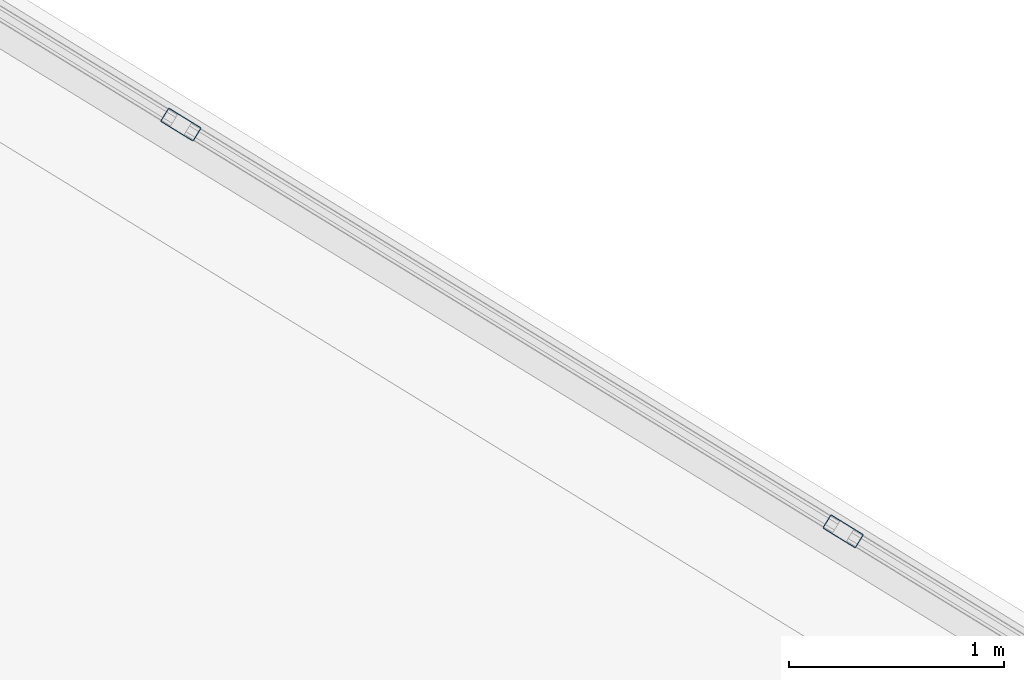
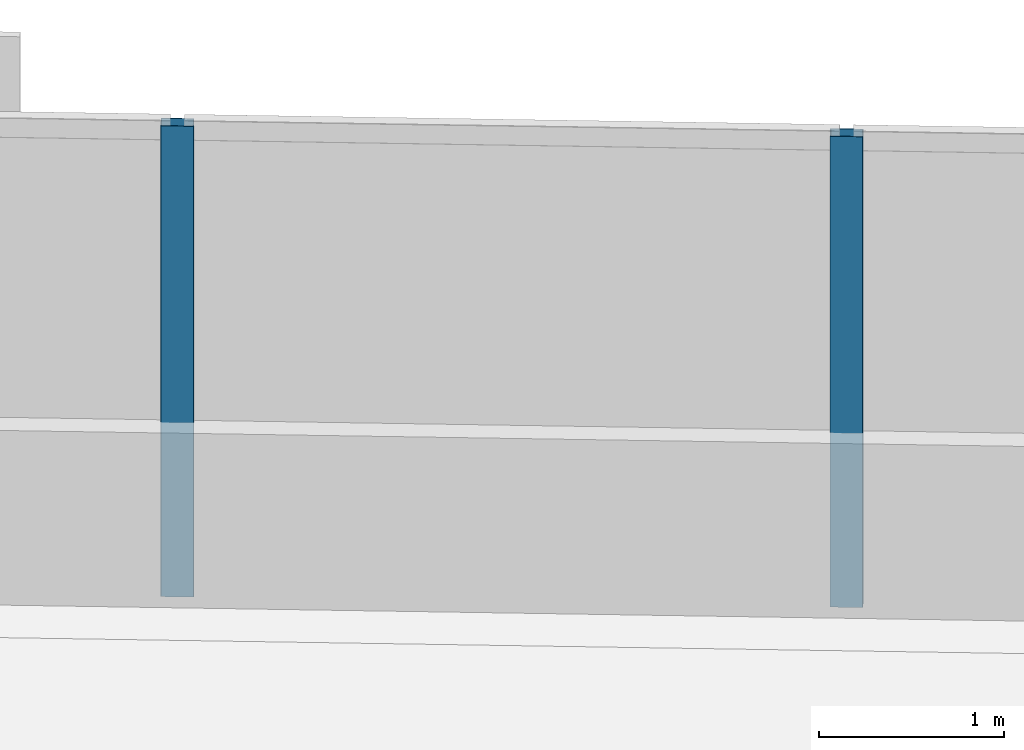
# One storey, part 8 of 20: 2 members, 1 element without a shape of its own.
"""IFC4 building model written with IfcOpenShell, lengths in metres."""

from ifc_helpers import new_model, si_unit, direction, frame, origin, origin_2d, place, context, subcontext, project, spatial, hollow_rectangle, extrude, material, material_profile, profile_set, type_object, element, aggregate, save


model = new_model("IFC4")

# Units and contexts
model_context = context("Model", 3, precision=1e-05, world=origin(), true_north=direction((0.0, 1.0)))
body_context = subcontext(model_context, "Body", "Model", "MODEL_VIEW")
ifc_project = project(units=[si_unit("LENGTHUNIT", "METRE"), si_unit("AREAUNIT", "SQUARE_METRE"), si_unit("VOLUMEUNIT", "CUBIC_METRE"), si_unit("PLANEANGLEUNIT", "RADIAN"), si_unit("MASSUNIT", "GRAM", prefix="KILO")], contexts=[model_context])

# Site, building, storey
site_placement = place(None, origin())
site = spatial("IfcSite", under=ifc_project, at=site_placement, CompositionType="ELEMENT")
building_placement = place(site_placement, origin())
building = spatial("IfcBuilding", under=site, at=building_placement, Name="Narakoshi Arena Tower", CompositionType="ELEMENT")
storey_placement = place(building_placement, frame((0.0, 0.0, 124.5)))
storey = spatial("IfcBuildingStorey", under=building, at=storey_placement, Name="L33", CompositionType="ELEMENT", Elevation=124.5)

# Curtain wall, members
ifc_material = material(Name="Anodised bronze aluminium 6063-T6", Category="aluminium")
curtain_wall_type = type_object("IfcCurtainWallType", Name="CW-HYP-LOW", PredefinedType="NOTDEFINED", material=ifc_material)
curtain_wall_placement = place(storey_placement, origin())
curtain_wall = element("IfcCurtainWall", 1, at=curtain_wall_placement, inside=storey, type_object=curtain_wall_type, Name="L33 Folded Hypotenuse Curtain Wall 1-1", PredefinedType="NOTDEFINED")
ifc_material_profile = material_profile(ifc_material, hollow_rectangle(XDim=0.074951171875, YDim=0.179931640625, WallThickness=0.00390625, OuterFilletRadius=0.0048828125, at=origin_2d()), Name="MUL180x75x4")
ifc_profile_set = profile_set([ifc_material_profile], Name="Anodised bronze aluminium 6063-T6")
member_type = type_object("IfcMemberType", Name="MEM-MUL-180", PredefinedType="MULLION", material=ifc_profile_set)
member_1_placement = place(storey_placement, frame((109.9638671875, 49.1982421875, 0.0), z_axis=(0.0, 0.0, 1.0), x_axis=(-0.523357676535, -0.852113104237, 0.0)))
member_1 = element("IfcMember", 2, at=member_1_placement, type_object=member_type, Name="CW-01 mullion 4", PredefinedType="MULLION", context=body_context, shape_type="SweptSolid", body=[
    extrude(hollow_rectangle(XDim=0.074951171875, YDim=0.179931640625, WallThickness=0.00390625, OuterFilletRadius=0.0048828125, at=origin_2d()), origin(), (0.0, 0.0, 1.0), 3.10009765625),
])
member_2_placement = place(storey_placement, frame((106.886962890625, 51.088134765625, 0.0), z_axis=(0.0, 0.0, 1.0), x_axis=(-0.523357676535, -0.852113104237, 0.0)))
member_2 = element("IfcMember", 3, at=member_2_placement, type_object=member_type, Name="CW-01 mullion 5", PredefinedType="MULLION", context=body_context, shape_type="SweptSolid", body=[
    extrude(hollow_rectangle(XDim=0.074951171875, YDim=0.179931640625, WallThickness=0.00390625, OuterFilletRadius=0.0048828125, at=origin_2d()), origin(), (0.0, 0.0, 1.0), 3.10009765625),
])
aggregate(curtain_wall, [member_1, member_2])

save(model, "model.ifc")
